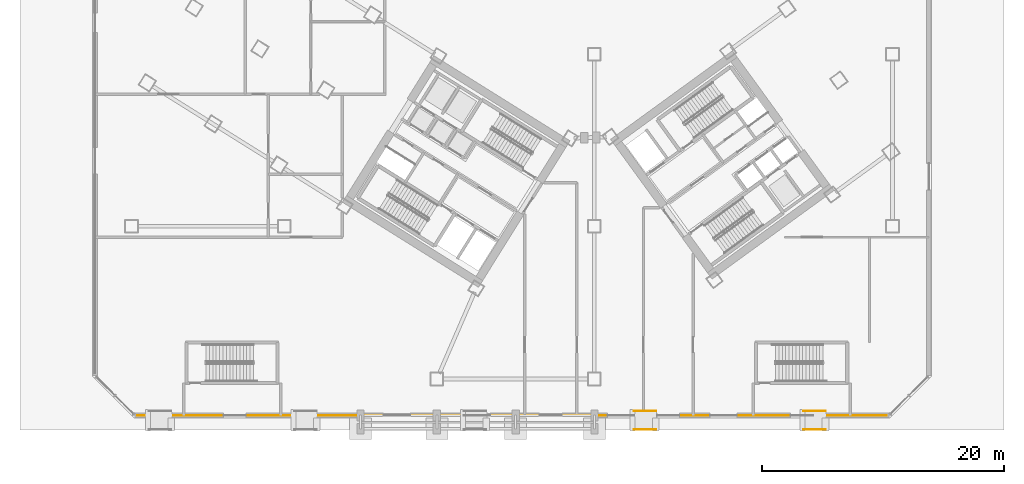
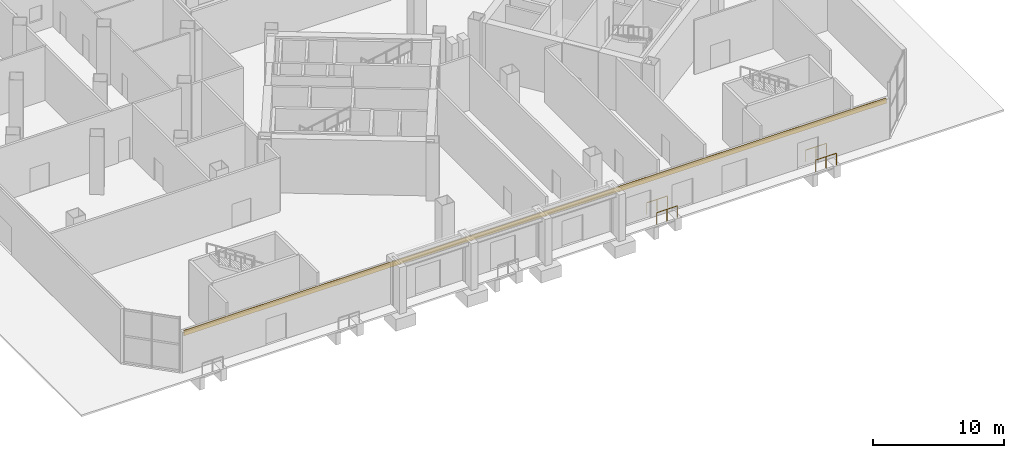
# One storey, part 18 of 22: 4 railings, 1 covering.
"""IFC4 building model written with IfcOpenShell, lengths in metres."""

from ifc_helpers import new_model, si_unit, direction, frame, origin, origin_2d, place, context, subcontext, project, spatial, rectangle, extrude, source, transform, mapped, material, layer, layer_set, type_object, element, save


model = new_model("IFC4")

# Units and contexts
model_context = context("Model", 3, precision=1e-05, world=origin(), true_north=direction((0.0, 1.0)))
body_context = subcontext(model_context, "Body", "Model", "MODEL_VIEW")
ifc_project = project(units=[si_unit("LENGTHUNIT", "METRE"), si_unit("AREAUNIT", "SQUARE_METRE"), si_unit("VOLUMEUNIT", "CUBIC_METRE"), si_unit("PLANEANGLEUNIT", "RADIAN"), si_unit("MASSUNIT", "GRAM", prefix="KILO")], contexts=[model_context])

# Site, building, storey
site_placement = place(None, origin())
site = spatial("IfcSite", under=ifc_project, at=site_placement, CompositionType="ELEMENT")
building_placement = place(site_placement, origin())
building = spatial("IfcBuilding", under=site, at=building_placement, Name="Tlacorven Tower", CompositionType="ELEMENT")
storey_placement = place(building_placement, origin())
storey = spatial("IfcBuildingStorey", under=building, at=storey_placement, Name="L00", CompositionType="ELEMENT", Elevation=0.0)

# Railings
ifc_material_1 = material(Name="Aluminium and painted steel balustrade", Category="steel")
railing_type = type_object("IfcRailingType", Name="RL-GRD-1100", PredefinedType="GUARDRAIL", material=ifc_material_1)
shared_shape_1 = source(origin(), body_context, "Body", "SweptSolid", [
    extrude(rectangle(XDim=0.048095703125, YDim=0.048095703125, at=origin_2d()), frame((0.0, 0.0, 1.076171875), z_axis=(1.0, 0.0, 0.0), x_axis=(0.0, 1.0, 0.0)), (0.0, 0.0, 1.0), 1.820068359375),
    extrude(rectangle(XDim=0.0419921875, YDim=0.0419921875, at=origin_2d()), origin(), (0.0, 0.0, 1.0), 1.052001953125),
    extrude(rectangle(XDim=0.0419921875, YDim=0.0419921875, at=origin_2d()), frame((0.91015625, 0.0, 0.0)), (0.0, 0.0, 1.0), 1.052001953125),
    extrude(rectangle(XDim=0.0419921875, YDim=0.0419921875, at=origin_2d()), frame((1.820068359375, 0.0, 0.0)), (0.0, 0.0, 1.0), 1.052001953125),
])
for number, where, name in (
    (1, (46.050048828125, 0.43994140625, 0.0), "L00 Accessible Ramp Guardrail 4 1"),
    (2, (46.050048828125, 1.9599609375, 0.0), "L00 Accessible Ramp Guardrail 4 2"),
    (3, (60.050048828125, 0.43994140625, 0.0), "L00 Accessible Ramp Guardrail 5 1"),
    (4, (60.050048828125, 1.9599609375, 0.0), "L00 Accessible Ramp Guardrail 5 2"),
):
    element("IfcRailing", number, at=place(storey_placement, frame(where)), inside=storey, type_object=railing_type, Name=name, PredefinedType="GUARDRAIL", context=body_context, shape_type="MappedRepresentation", body=[
        mapped(shared_shape_1, transform((0.0, 0.0, 0.0), scale=1.0)),
    ])

# Covering
ifc_material_2 = material(Name="Precast concrete C45/55", Category="concrete")
ifc_layer = layer(ifc_material_2, 0.06005859375)
ifc_layer_set = layer_set([ifc_layer], Name="Precast concrete C45/55")
covering_type = type_object("IfcCoveringType", Name="CV-CLD-TERC", PredefinedType="CLADDING", material=ifc_layer_set)
shared_shape_2 = source(origin(), body_context, "Body", "SweptSolid", [
    extrude(rectangle(XDim=61.834228515625, YDim=0.06005859375, at=origin_2d()), origin(), (0.0, 0.0, 1.0), 0.47998046875),
])
covering_placement = place(storey_placement, frame((36.0, 1.60009765625, 3.27490234375), z_axis=(0.0, 0.0, 1.0), x_axis=(-1.0, 0.0, 0.0)))
element("IfcCovering", 5, at=covering_placement, inside=storey, type_object=covering_type, Name="L00 Expressed Terracotta Masonry Spandrel Band 8", PredefinedType="CLADDING", context=body_context, shape_type="MappedRepresentation", body=[
    mapped(shared_shape_2, transform((0.0, 0.0, 0.0), scale=1.0)),
])

save(model, "model.ifc")
